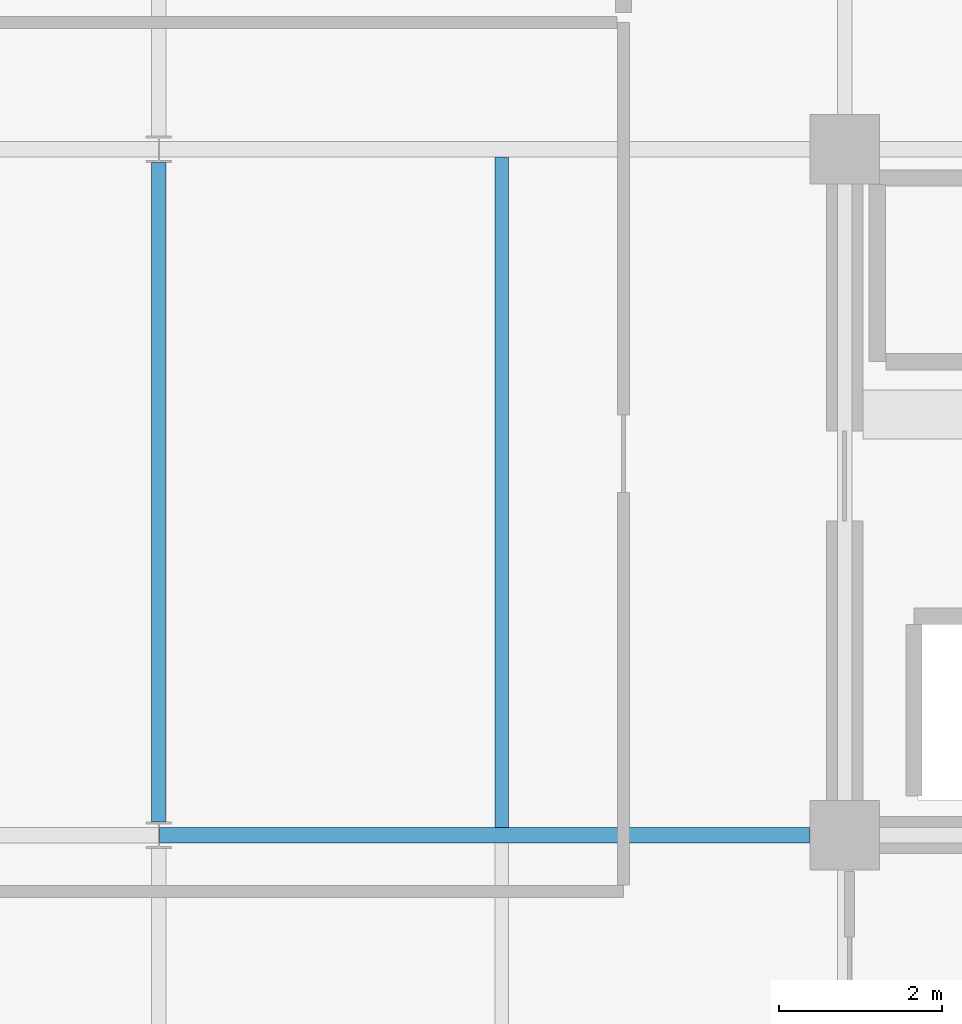
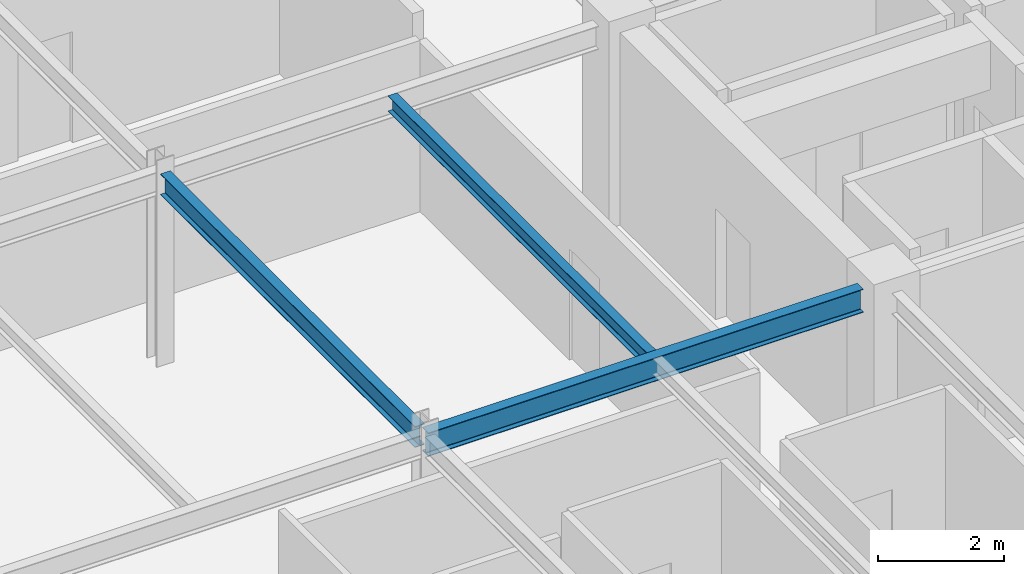
# One storey, part 6 of 26: 3 beams.
"""IFC4 building model written with IfcOpenShell, lengths in metres."""

from ifc_helpers import new_model, si_unit, direction, frame, origin, origin_2d, place, context, subcontext, project, spatial, i_section, extrude, material, material_profile, profile_set, type_object, element, save


model = new_model("IFC4")

# Units and contexts
model_context = context("Model", 3, precision=1e-05, world=origin(), true_north=direction((0.0, 1.0)))
body_context = subcontext(model_context, "Body", "Model", "MODEL_VIEW")
ifc_project = project(units=[si_unit("LENGTHUNIT", "METRE"), si_unit("AREAUNIT", "SQUARE_METRE"), si_unit("VOLUMEUNIT", "CUBIC_METRE"), si_unit("PLANEANGLEUNIT", "RADIAN"), si_unit("MASSUNIT", "GRAM", prefix="KILO")], contexts=[model_context])

# Site, building, storey
site_placement = place(None, origin())
site = spatial("IfcSite", under=ifc_project, at=site_placement, CompositionType="ELEMENT")
building_placement = place(site_placement, origin())
building = spatial("IfcBuilding", under=site, at=building_placement, Name="Nerrivon Quay Data Exchange", CompositionType="ELEMENT")
storey_placement = place(building_placement, frame((0.0, 0.0, 250.199951171875)))
storey = spatial("IfcBuildingStorey", under=building, at=storey_placement, Name="L59", CompositionType="ELEMENT", Elevation=250.199951171875)

# Beams
ifc_material = material(Name="Steel Grade 350", Category="steel")
ifc_material_profile_1 = material_profile(ifc_material, i_section(OverallWidth=0.18994140625, OverallDepth=0.4541015625, WebThickness=0.008544921875, FlangeThickness=0.0126953125, FilletRadius=0.011474609375, at=origin_2d()), Name="460UB67.1")
ifc_profile_set_1 = profile_set([ifc_material_profile_1], Name="Steel Grade 350")
beam_type_1 = type_object("IfcBeamType", Name="BM-G6-460UB67", PredefinedType="BEAM", material=ifc_profile_set_1)
beam_1_placement = place(storey_placement, frame((8.40771484375, 8.39990234375, 3.498046875), z_axis=(1.0, 0.0, 0.0), x_axis=(0.0, 1.0, 0.0)))
element("IfcBeam", 1, at=beam_1_placement, inside=storey, type_object=beam_type_1, Name="L59 EW Girder Y=8.4 (8.4..16.8)", PredefinedType="BEAM", context=body_context, shape_type="SweptSolid", body=[
    extrude(i_section(OverallWidth=0.18994140625, OverallDepth=0.4541015625, WebThickness=0.008544921875, FlangeThickness=0.0126953125, FilletRadius=0.011474609375, at=origin_2d()), origin(), (0.0, 0.0, 1.0), 7.96728515625),
])
ifc_material_profile_2 = material_profile(ifc_material, i_section(OverallWidth=0.177978515625, OverallDepth=0.406005859375, WebThickness=0.0078125, FlangeThickness=0.0126953125, FilletRadius=0.011474609375, at=origin_2d()), Name="410UB59.7")
ifc_profile_set_2 = profile_set([ifc_material_profile_2], Name="Steel Grade 350")
beam_type_2 = type_object("IfcBeamType", Name="BM-J1-410UB60", PredefinedType="JOIST", material=ifc_profile_set_2)
beam_2_placement = place(storey_placement, frame((8.39990234375, 8.5634765625, 3.52197265625), z_axis=(0.0, 1.0, 0.0), x_axis=(-1.0, 0.0, 0.0)))
element("IfcBeam", 2, at=beam_2_placement, inside=storey, type_object=beam_type_2, Name="L59 NS Girder X=8.4 (8.4..16.8)", PredefinedType="JOIST", context=body_context, shape_type="SweptSolid", body=[
    extrude(i_section(OverallWidth=0.177978515625, OverallDepth=0.406005859375, WebThickness=0.0078125, FlangeThickness=0.0126953125, FilletRadius=0.011474609375, at=origin_2d()), origin(), (0.0, 0.0, 1.0), 8.072998046875),
])
ifc_material_profile_3 = material_profile(ifc_material, i_section(OverallWidth=0.1650390625, OverallDepth=0.303955078125, WebThickness=0.006103515625, FlangeThickness=0.01025390625, FilletRadius=0.011474609375, at=origin_2d()), Name="310UB40.4")
ifc_profile_set_3 = profile_set([ifc_material_profile_3], Name="Steel Grade 350")
beam_type_3 = type_object("IfcBeamType", Name="BM-J6-310UB40", PredefinedType="JOIST", material=ifc_profile_set_3)
beam_3_placement = place(storey_placement, frame((12.60009765625, 8.4951171875, 3.572998046875), z_axis=(0.0, 1.0, 0.0), x_axis=(-1.0, 0.0, 0.0)))
element("IfcBeam", 3, at=beam_3_placement, inside=storey, type_object=beam_type_3, Name="L59 Secondary Joist X=12.6 (8.4..16.8)", PredefinedType="JOIST", context=body_context, shape_type="SweptSolid", body=[
    extrude(i_section(OverallWidth=0.1650390625, OverallDepth=0.303955078125, WebThickness=0.006103515625, FlangeThickness=0.01025390625, FilletRadius=0.011474609375, at=origin_2d()), origin(), (0.0, 0.0, 1.0), 8.2099609375),
])

save(model, "model.ifc")
